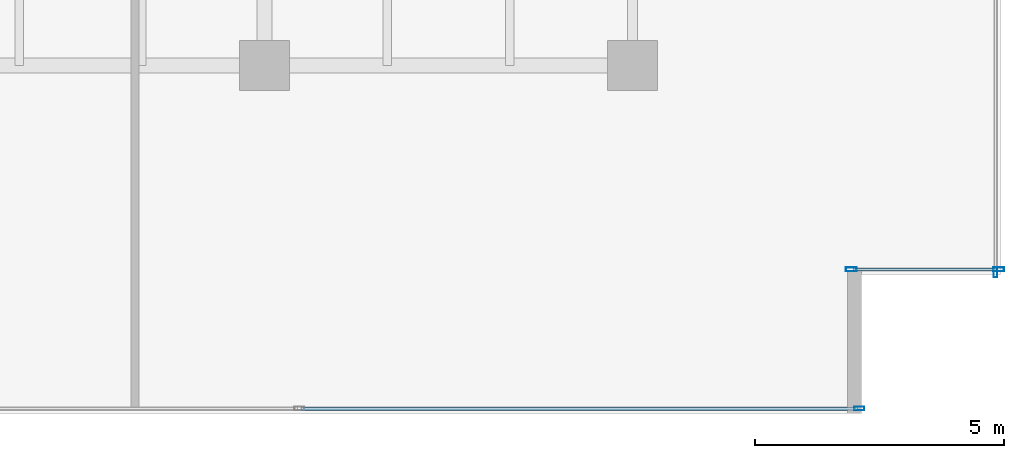
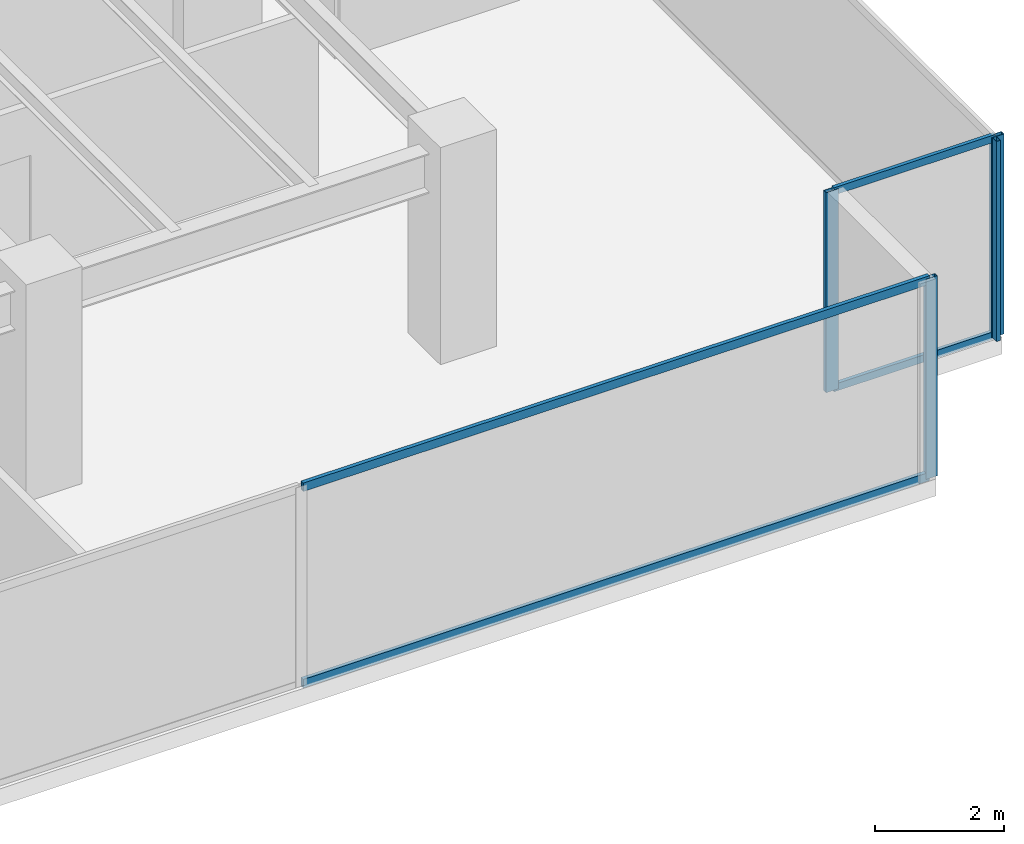
# One storey, part 23 of 35: 8 members, 3 elements without a shape of their own.
"""IFC4 building model written with IfcOpenShell, lengths in metres."""

from ifc_helpers import new_model, si_unit, direction, frame, origin, origin_2d, place, context, subcontext, project, spatial, hollow_rectangle, extrude, source, transform, mapped, material, layer, layer_set, material_profile, profile_set, type_object, type_shapes, element, aggregate, save


model = new_model("IFC4")

# Units and contexts
model_context = context("Model", 3, precision=1e-05, world=origin(), true_north=direction((0.0, 1.0)))
body_context = subcontext(model_context, "Body", "Model", "MODEL_VIEW")
ifc_project = project(units=[si_unit("LENGTHUNIT", "METRE"), si_unit("AREAUNIT", "SQUARE_METRE"), si_unit("VOLUMEUNIT", "CUBIC_METRE"), si_unit("PLANEANGLEUNIT", "RADIAN"), si_unit("MASSUNIT", "GRAM", prefix="KILO")], contexts=[model_context])

# Site, building, storey
site_placement = place(None, origin())
site = spatial("IfcSite", under=ifc_project, at=site_placement, CompositionType="ELEMENT")
building_placement = place(site_placement, origin())
building = spatial("IfcBuilding", under=site, at=building_placement, Name="Haelvirn Gate Laboratories", CompositionType="ELEMENT")
storey_placement = place(building_placement, frame((0.0, 0.0, 82.60009765625)))
storey = spatial("IfcBuildingStorey", under=building, at=storey_placement, Name="L20", CompositionType="ELEMENT", Elevation=82.60009765625)

# Curtain wall, members
ifc_material_1 = material(Name="Anodised bronze unitised aluminium & triple low-E glass", Category="aluminium")
ifc_layer_1 = layer(ifc_material_1, 0.18408203125, Name="CW-SYS-2")
ifc_layer_set_1 = layer_set([ifc_layer_1], Name="Anodised bronze unitised aluminium & triple low-E glass")
curtain_wall_type_1 = type_object("IfcCurtainWallType", Name="CW-SYS-2", PredefinedType="NOTDEFINED", material=ifc_layer_set_1)
curtain_wall_1_placement = place(storey_placement, origin())
curtain_wall_1 = element("IfcCurtainWall", 1, at=curtain_wall_1_placement, inside=storey, type_object=curtain_wall_type_1, Name="L20 Unitised Curtain Wall CW-L20-P0-E04-1", PredefinedType="NOTDEFINED")
ifc_material_2 = material(Name="Extruded aluminium 6063-T6 (anodised bronze)", Category="aluminium")
ifc_material_profile_1 = material_profile(ifc_material_2, hollow_rectangle(XDim=0.070068359375, YDim=0.159912109375, WallThickness=0.0048828125, at=origin_2d()), Name="CWT-160x70x5")
ifc_profile_set_1 = profile_set([ifc_material_profile_1], Name="Extruded aluminium 6063-T6 (anodised bronze)")
member_type_1 = type_object("IfcMemberType", Name="CWT-T160", PredefinedType="USERDEFINED", material=ifc_profile_set_1)
shared_shape_1 = source(origin(), body_context, "Body", "SweptSolid", [
    extrude(hollow_rectangle(XDim=0.070068359375, YDim=0.159912109375, WallThickness=0.0048828125, at=origin_2d()), origin(), (0.0, 0.0, 1.0), 11.1875),
])
type_shapes(member_type_1, [shared_shape_1])
member_1_placement = place(storey_placement, frame((60.737548828125, 0.10009765625, 0.034912109375), z_axis=(1.0, 0.0, 0.0), x_axis=(0.0, 1.0, 0.0)))
member_1 = element("IfcMember", 2, at=member_1_placement, type_object=member_type_1, Name="CW2 transom 2.1", ObjectType="TRANSOM", PredefinedType="USERDEFINED", context=body_context, shape_type="MappedRepresentation", body=[
    mapped(shared_shape_1, transform((0.0, 0.0, 0.0), scale=1.0)),
])
member_2_placement = place(storey_placement, frame((60.737548828125, 0.10009765625, 3.744873046875), z_axis=(1.0, 0.0, 0.0), x_axis=(0.0, 1.0, 0.0)))
member_2 = element("IfcMember", 3, at=member_2_placement, type_object=member_type_1, Name="CW2 transom 2.2", ObjectType="TRANSOM", PredefinedType="USERDEFINED", context=body_context, shape_type="MappedRepresentation", body=[
    mapped(shared_shape_1, transform((0.0, 0.0, 0.0), scale=1.0)),
])

ifc_layer_2 = layer(ifc_material_1, 0.181884765625, Name="CW-SYS-5")
ifc_layer_set_2 = layer_set([ifc_layer_2], Name="Anodised bronze unitised aluminium & triple low-E glass")
curtain_wall_type_2 = type_object("IfcCurtainWallType", Name="CW-SYS-5", PredefinedType="NOTDEFINED", material=ifc_layer_set_2)
curtain_wall_2_placement = place(storey_placement, origin())
curtain_wall_2 = element("IfcCurtainWall", 4, at=curtain_wall_2_placement, inside=storey, type_object=curtain_wall_type_2, Name="L20 Unitised Curtain Wall CW-L20-P0-E06-1", PredefinedType="NOTDEFINED")
ifc_material_profile_2 = material_profile(ifc_material_2, hollow_rectangle(XDim=0.06494140625, YDim=0.139892578125, WallThickness=0.00390625, at=origin_2d()), Name="CWT-140x65x4")
ifc_profile_set_2 = profile_set([ifc_material_profile_2], Name="Extruded aluminium 6063-T6 (anodised bronze)")
member_type_2 = type_object("IfcMemberType", Name="CWT-T140", PredefinedType="USERDEFINED", material=ifc_profile_set_2)
shared_shape_2 = source(origin(), body_context, "Body", "SweptSolid", [
    extrude(hollow_rectangle(XDim=0.06494140625, YDim=0.139892578125, WallThickness=0.00390625, at=origin_2d()), origin(), (0.0, 0.0, 1.0), 2.8798828125),
])
type_shapes(member_type_2, [shared_shape_2])
member_3_placement = place(storey_placement, frame((71.840087890625, 2.89990234375, 0.032470703125), z_axis=(1.0, 0.0, 0.0), x_axis=(0.0, 1.0, 0.0)))
member_3 = element("IfcMember", 5, at=member_3_placement, type_object=member_type_2, Name="CW5 transom 1.1", ObjectType="TRANSOM", PredefinedType="USERDEFINED", context=body_context, shape_type="MappedRepresentation", body=[
    mapped(shared_shape_2, transform((0.0, 0.0, 0.0), scale=1.0)),
])
member_4_placement = place(storey_placement, frame((71.840087890625, 2.89990234375, 3.747314453125), z_axis=(1.0, 0.0, 0.0), x_axis=(0.0, 1.0, 0.0)))
member_4 = element("IfcMember", 6, at=member_4_placement, type_object=member_type_2, Name="CW5 transom 1.2", ObjectType="TRANSOM", PredefinedType="USERDEFINED", context=body_context, shape_type="MappedRepresentation", body=[
    mapped(shared_shape_2, transform((0.0, 0.0, 0.0), scale=1.0)),
])

# Member
ifc_material_profile_3 = material_profile(ifc_material_2, hollow_rectangle(XDim=0.074951171875, YDim=0.199951171875, WallThickness=0.0048828125, at=origin_2d()), Name="CWM-200x75x5")
ifc_profile_set_3 = profile_set([ifc_material_profile_3], Name="Extruded aluminium 6063-T6 (anodised bronze)")
member_type_3 = type_object("IfcMemberType", Name="CWM-T200", PredefinedType="MULLION", material=ifc_profile_set_3)
shared_shape_3 = source(origin(), body_context, "Body", "SweptSolid", [
    extrude(hollow_rectangle(XDim=0.074951171875, YDim=0.199951171875, WallThickness=0.0048828125, at=origin_2d()), origin(), (0.0, 0.0, 1.0), 3.77978515625),
])
type_shapes(member_type_3, [shared_shape_3])
member_5_placement = place(storey_placement, frame((71.96240234375, 0.10009765625, 0.0), z_axis=(0.0, 0.0, 1.0), x_axis=(0.0, 1.0, 0.0)))
member_5 = element("IfcMember", 7, at=member_5_placement, type_object=member_type_3, Name="CW2 mullion 3", PredefinedType="MULLION", context=body_context, shape_type="MappedRepresentation", body=[
    mapped(shared_shape_3, transform((0.0, 0.0, 0.0), scale=1.0)),
])

aggregate(curtain_wall_1, [member_5, member_1, member_2])

# Curtain wall, member
curtain_wall_3_placement = place(storey_placement, origin())
curtain_wall_3 = element("IfcCurtainWall", 8, at=curtain_wall_3_placement, inside=storey, type_object=curtain_wall_type_1, Name="L20 Unitised Curtain Wall CW-L20-P0-E07", PredefinedType="NOTDEFINED")
member_6_placement = place(storey_placement, frame((74.699951171875, 2.83740234375, 0.0), z_axis=(0.0, 0.0, 1.0), x_axis=(-1.0, 0.0, 0.0)))
member_6 = element("IfcMember", 9, at=member_6_placement, type_object=member_type_3, Name="CW2 mullion 1", PredefinedType="MULLION", context=body_context, shape_type="MappedRepresentation", body=[
    mapped(shared_shape_3, transform((0.0, 0.0, 0.0), scale=1.0)),
])
aggregate(curtain_wall_3, [member_6])

# Member
ifc_material_profile_4 = material_profile(ifc_material_2, hollow_rectangle(XDim=0.080078125, YDim=0.219970703125, WallThickness=0.006103515625, at=origin_2d()), Name="CWM-220x80x6")
ifc_profile_set_4 = profile_set([ifc_material_profile_4], Name="Extruded aluminium 6063-T6 (anodised bronze)")
member_type_4 = type_object("IfcMemberType", Name="CWM-T220", PredefinedType="MULLION", material=ifc_profile_set_4)
shared_shape_4 = source(origin(), body_context, "Body", "SweptSolid", [
    extrude(hollow_rectangle(XDim=0.080078125, YDim=0.219970703125, WallThickness=0.006103515625, at=origin_2d()), origin(), (0.0, 0.0, 1.0), 3.77978515625),
])
type_shapes(member_type_4, [shared_shape_4])
member_7_placement = place(storey_placement, frame((71.800048828125, 2.89990234375, 0.0), z_axis=(0.0, 0.0, 1.0), x_axis=(0.0, 1.0, 0.0)))
member_7 = element("IfcMember", 10, at=member_7_placement, type_object=member_type_4, Name="CW5 mullion 1", PredefinedType="MULLION", context=body_context, shape_type="MappedRepresentation", body=[
    mapped(shared_shape_4, transform((0.0, 0.0, 0.0), scale=1.0)),
])

member_8_placement = place(storey_placement, frame((74.760009765625, 2.89990234375, 0.0), z_axis=(0.0, 0.0, 1.0), x_axis=(0.0, 1.0, 0.0)))
member_8 = element("IfcMember", 11, at=member_8_placement, type_object=member_type_4, Name="CW5 mullion 2", PredefinedType="MULLION", context=body_context, shape_type="MappedRepresentation", body=[
    mapped(shared_shape_4, transform((0.0, 0.0, 0.0), scale=1.0)),
])

aggregate(curtain_wall_2, [member_7, member_8, member_3, member_4])

save(model, "model.ifc")
